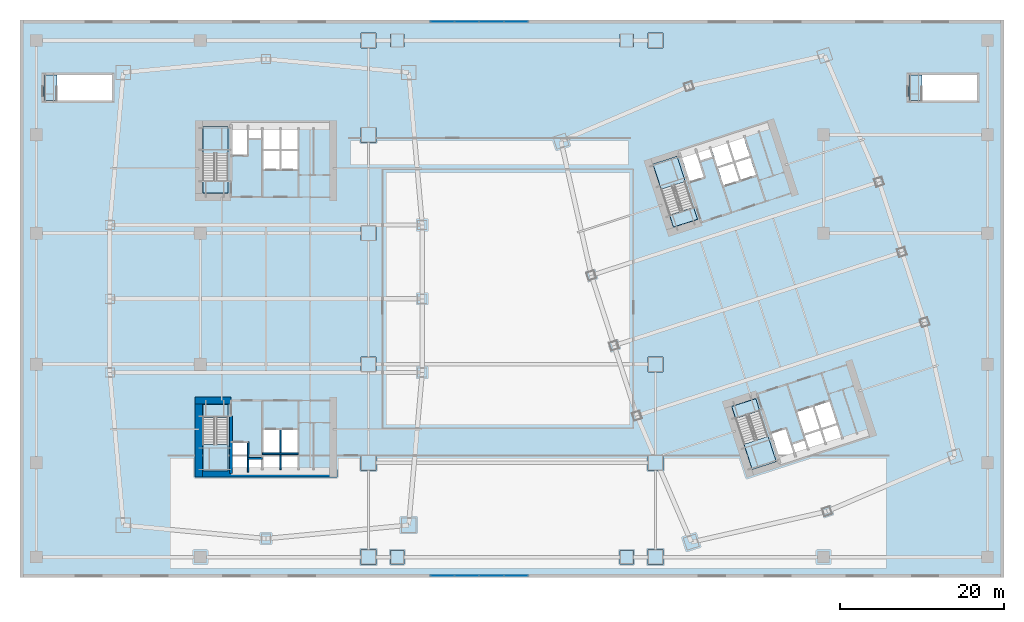
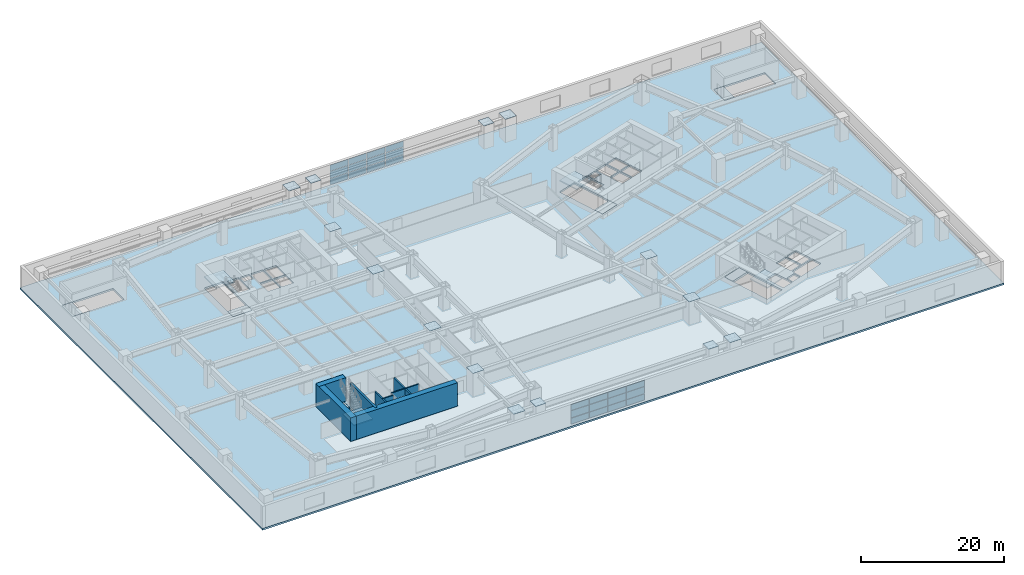
# One storey, part 12 of 25: 38 plates, 11 slabs, 8 walls, 6 elements without a shape of their own.
"""IFC4 building model written with IfcOpenShell, lengths in metres."""

from ifc_helpers import new_model, si_unit, direction, frame, frame_2d, origin, origin_2d, place, context, subcontext, project, spatial, polyline, rectangle, outline, extrude, material, layer, layer_set, type_object, element, aggregate, save


model = new_model("IFC4")

# Units and contexts
model_context = context("Model", 3, precision=1e-05, world=origin(), true_north=direction((0.0, 1.0)))
body_context = subcontext(model_context, "Body", "Model", "MODEL_VIEW")
ifc_project = project(units=[si_unit("LENGTHUNIT", "METRE"), si_unit("AREAUNIT", "SQUARE_METRE"), si_unit("VOLUMEUNIT", "CUBIC_METRE"), si_unit("PLANEANGLEUNIT", "RADIAN"), si_unit("MASSUNIT", "GRAM", prefix="KILO")], contexts=[model_context])

# Site, building, storey
site_placement = place(None, origin())
site = spatial("IfcSite", under=ifc_project, at=site_placement, CompositionType="ELEMENT")
building_placement = place(site_placement, origin())
building = spatial("IfcBuilding", under=site, at=building_placement, Name="Qiaolan Cultural Towers", CompositionType="ELEMENT")
storey_placement = place(building_placement, frame((0.0, 0.0, 22.0)))
storey = spatial("IfcBuildingStorey", under=building, at=storey_placement, Name="L04", CompositionType="ELEMENT", Elevation=22.0)

# Curtain wall, plates
ifc_material_1 = material(Name="Unitized Anodized Aluminium Curtain Wall System", Category="aluminium")
ifc_layer_1 = layer(ifc_material_1, 0.199951171875)
ifc_layer_set_1 = layer_set([ifc_layer_1], Name="Unitized Anodized Aluminium Curtain Wall System")
curtain_wall_type = type_object("IfcCurtainWallType", Name="CWS-01", PredefinedType="NOTDEFINED", material=ifc_layer_set_1)
curtain_wall_1_placement = place(storey_placement, origin())
curtain_wall_1 = element("IfcCurtainWall", 1, at=curtain_wall_1_placement, inside=storey, type_object=curtain_wall_type, Name="L04 South Atrium Curtain Wall", PredefinedType="NOTDEFINED")
ifc_material_2 = material(Name="Laminated Low-E Insulating Glass Unit", Category="glass")
ifc_layer_2 = layer(ifc_material_2, 0.035888671875)
ifc_layer_set_2 = layer_set([ifc_layer_2], Name="Laminated Low-E Insulating Glass Unit")
plate_type_1 = type_object("IfcPlateType", Name="CWS-01-PNL", PredefinedType="CURTAIN_PANEL", material=ifc_layer_set_2)
plate_1_placement = place(storey_placement, frame((51.518798828125, 0.219970703125, 0.21484375), z_axis=(0.0, 0.0, 1.0), x_axis=(1.0, 0.0, 0.0)))
plate_1 = element("IfcPlate", 2, at=plate_1_placement, type_object=plate_type_1, Name="CW-1 panel 1.1", PredefinedType="CURTAIN_PANEL", context=body_context, shape_type="SweptSolid", body=[
    extrude(rectangle(XDim=2.887451171875, YDim=0.035888671875, at=origin_2d()), origin(), (0.0, 0.0, 1.0), 1.012451171875),
])
plate_2_placement = place(storey_placement, frame((51.518798828125, 0.219970703125, 1.29248046875), z_axis=(0.0, 0.0, 1.0), x_axis=(1.0, 0.0, 0.0)))
plate_2 = element("IfcPlate", 3, at=plate_2_placement, type_object=plate_type_1, Name="CW-1 panel 1.2", PredefinedType="CURTAIN_PANEL", context=body_context, shape_type="SweptSolid", body=[
    extrude(rectangle(XDim=2.887451171875, YDim=0.035888671875, at=origin_2d()), origin(), (0.0, 0.0, 1.0), 1.195068359375),
])
plate_3_placement = place(storey_placement, frame((51.518798828125, 0.219970703125, 2.552734375), z_axis=(0.0, 0.0, 1.0), x_axis=(1.0, 0.0, 0.0)))
plate_3 = element("IfcPlate", 4, at=plate_3_placement, type_object=plate_type_1, Name="CW-1 panel 1.3", PredefinedType="CURTAIN_PANEL", context=body_context, shape_type="SweptSolid", body=[
    extrude(rectangle(XDim=2.887451171875, YDim=0.035888671875, at=origin_2d()), origin(), (0.0, 0.0, 1.0), 1.012451171875),
])
plate_4_placement = place(storey_placement, frame((54.5, 0.219970703125, 0.21484375), z_axis=(0.0, 0.0, 1.0), x_axis=(1.0, 0.0, 0.0)))
plate_4 = element("IfcPlate", 5, at=plate_4_placement, type_object=plate_type_1, Name="CW-1 panel 2.1", PredefinedType="CURTAIN_PANEL", context=body_context, shape_type="SweptSolid", body=[
    extrude(rectangle(XDim=2.925048828125, YDim=0.035888671875, at=origin_2d()), origin(), (0.0, 0.0, 1.0), 1.012451171875),
])
plate_5_placement = place(storey_placement, frame((54.5, 0.219970703125, 1.29248046875), z_axis=(0.0, 0.0, 1.0), x_axis=(1.0, 0.0, 0.0)))
plate_5 = element("IfcPlate", 6, at=plate_5_placement, type_object=plate_type_1, Name="CW-1 panel 2.2", PredefinedType="CURTAIN_PANEL", context=body_context, shape_type="SweptSolid", body=[
    extrude(rectangle(XDim=2.925048828125, YDim=0.035888671875, at=origin_2d()), origin(), (0.0, 0.0, 1.0), 1.195068359375),
])
plate_6_placement = place(storey_placement, frame((54.5, 0.219970703125, 2.552734375), z_axis=(0.0, 0.0, 1.0), x_axis=(1.0, 0.0, 0.0)))
plate_6 = element("IfcPlate", 7, at=plate_6_placement, type_object=plate_type_1, Name="CW-1 panel 2.3", PredefinedType="CURTAIN_PANEL", context=body_context, shape_type="SweptSolid", body=[
    extrude(rectangle(XDim=2.925048828125, YDim=0.035888671875, at=origin_2d()), origin(), (0.0, 0.0, 1.0), 1.012451171875),
])
plate_7_placement = place(storey_placement, frame((57.5, 0.219970703125, 0.21484375), z_axis=(0.0, 0.0, 1.0), x_axis=(1.0, 0.0, 0.0)))
plate_7 = element("IfcPlate", 8, at=plate_7_placement, type_object=plate_type_1, Name="CW-1 panel 3.1", PredefinedType="CURTAIN_PANEL", context=body_context, shape_type="SweptSolid", body=[
    extrude(rectangle(XDim=2.925048828125, YDim=0.035888671875, at=origin_2d()), origin(), (0.0, 0.0, 1.0), 1.012451171875),
])
plate_8_placement = place(storey_placement, frame((57.5, 0.219970703125, 1.29248046875), z_axis=(0.0, 0.0, 1.0), x_axis=(1.0, 0.0, 0.0)))
plate_8 = element("IfcPlate", 9, at=plate_8_placement, type_object=plate_type_1, Name="CW-1 panel 3.2", PredefinedType="CURTAIN_PANEL", context=body_context, shape_type="SweptSolid", body=[
    extrude(rectangle(XDim=2.925048828125, YDim=0.035888671875, at=origin_2d()), origin(), (0.0, 0.0, 1.0), 1.195068359375),
])
plate_9_placement = place(storey_placement, frame((57.5, 0.219970703125, 2.552734375), z_axis=(0.0, 0.0, 1.0), x_axis=(1.0, 0.0, 0.0)))
plate_9 = element("IfcPlate", 10, at=plate_9_placement, type_object=plate_type_1, Name="CW-1 panel 3.3", PredefinedType="CURTAIN_PANEL", context=body_context, shape_type="SweptSolid", body=[
    extrude(rectangle(XDim=2.925048828125, YDim=0.035888671875, at=origin_2d()), origin(), (0.0, 0.0, 1.0), 1.012451171875),
])
plate_10_placement = place(storey_placement, frame((60.481201171875, 0.219970703125, 0.21484375), z_axis=(0.0, 0.0, 1.0), x_axis=(1.0, 0.0, 0.0)))
plate_10 = element("IfcPlate", 11, at=plate_10_placement, type_object=plate_type_1, Name="CW-1 panel 4.1", PredefinedType="CURTAIN_PANEL", context=body_context, shape_type="SweptSolid", body=[
    extrude(rectangle(XDim=2.887451171875, YDim=0.035888671875, at=origin_2d()), origin(), (0.0, 0.0, 1.0), 1.012451171875),
])
plate_11_placement = place(storey_placement, frame((60.481201171875, 0.219970703125, 1.29248046875), z_axis=(0.0, 0.0, 1.0), x_axis=(1.0, 0.0, 0.0)))
plate_11 = element("IfcPlate", 12, at=plate_11_placement, type_object=plate_type_1, Name="CW-1 panel 4.2", PredefinedType="CURTAIN_PANEL", context=body_context, shape_type="SweptSolid", body=[
    extrude(rectangle(XDim=2.887451171875, YDim=0.035888671875, at=origin_2d()), origin(), (0.0, 0.0, 1.0), 1.195068359375),
])
plate_12_placement = place(storey_placement, frame((60.481201171875, 0.219970703125, 2.552734375), z_axis=(0.0, 0.0, 1.0), x_axis=(1.0, 0.0, 0.0)))
plate_12 = element("IfcPlate", 13, at=plate_12_placement, type_object=plate_type_1, Name="CW-1 panel 4.3", PredefinedType="CURTAIN_PANEL", context=body_context, shape_type="SweptSolid", body=[
    extrude(rectangle(XDim=2.887451171875, YDim=0.035888671875, at=origin_2d()), origin(), (0.0, 0.0, 1.0), 1.012451171875),
])
aggregate(curtain_wall_1, [plate_1, plate_2, plate_3, plate_4, plate_5, plate_6, plate_7, plate_8, plate_9, plate_10, plate_11, plate_12])

curtain_wall_2_placement = place(storey_placement, origin())
curtain_wall_2 = element("IfcCurtainWall", 14, at=curtain_wall_2_placement, inside=storey, type_object=curtain_wall_type, Name="L04 North Atrium Curtain Wall", PredefinedType="NOTDEFINED")
plate_13_placement = place(storey_placement, frame((51.518798828125, 67.780029296875, 0.21484375), z_axis=(0.0, 0.0, 1.0), x_axis=(1.0, 0.0, 0.0)))
plate_13 = element("IfcPlate", 15, at=plate_13_placement, type_object=plate_type_1, Name="CW-1 panel 1.1", PredefinedType="CURTAIN_PANEL", context=body_context, shape_type="SweptSolid", body=[
    extrude(rectangle(XDim=2.887451171875, YDim=0.035888671875, at=origin_2d()), origin(), (0.0, 0.0, 1.0), 1.012451171875),
])
plate_14_placement = place(storey_placement, frame((51.518798828125, 67.780029296875, 1.29248046875), z_axis=(0.0, 0.0, 1.0), x_axis=(1.0, 0.0, 0.0)))
plate_14 = element("IfcPlate", 16, at=plate_14_placement, type_object=plate_type_1, Name="CW-1 panel 1.2", PredefinedType="CURTAIN_PANEL", context=body_context, shape_type="SweptSolid", body=[
    extrude(rectangle(XDim=2.887451171875, YDim=0.035888671875, at=origin_2d()), origin(), (0.0, 0.0, 1.0), 1.195068359375),
])
plate_15_placement = place(storey_placement, frame((51.518798828125, 67.780029296875, 2.552734375), z_axis=(0.0, 0.0, 1.0), x_axis=(1.0, 0.0, 0.0)))
plate_15 = element("IfcPlate", 17, at=plate_15_placement, type_object=plate_type_1, Name="CW-1 panel 1.3", PredefinedType="CURTAIN_PANEL", context=body_context, shape_type="SweptSolid", body=[
    extrude(rectangle(XDim=2.887451171875, YDim=0.035888671875, at=origin_2d()), origin(), (0.0, 0.0, 1.0), 1.012451171875),
])
plate_16_placement = place(storey_placement, frame((54.5, 67.780029296875, 0.21484375), z_axis=(0.0, 0.0, 1.0), x_axis=(1.0, 0.0, 0.0)))
plate_16 = element("IfcPlate", 18, at=plate_16_placement, type_object=plate_type_1, Name="CW-1 panel 2.1", PredefinedType="CURTAIN_PANEL", context=body_context, shape_type="SweptSolid", body=[
    extrude(rectangle(XDim=2.925048828125, YDim=0.035888671875, at=origin_2d()), origin(), (0.0, 0.0, 1.0), 1.012451171875),
])
plate_17_placement = place(storey_placement, frame((54.5, 67.780029296875, 1.29248046875), z_axis=(0.0, 0.0, 1.0), x_axis=(1.0, 0.0, 0.0)))
plate_17 = element("IfcPlate", 19, at=plate_17_placement, type_object=plate_type_1, Name="CW-1 panel 2.2", PredefinedType="CURTAIN_PANEL", context=body_context, shape_type="SweptSolid", body=[
    extrude(rectangle(XDim=2.925048828125, YDim=0.035888671875, at=origin_2d()), origin(), (0.0, 0.0, 1.0), 1.195068359375),
])
plate_18_placement = place(storey_placement, frame((54.5, 67.780029296875, 2.552734375), z_axis=(0.0, 0.0, 1.0), x_axis=(1.0, 0.0, 0.0)))
plate_18 = element("IfcPlate", 20, at=plate_18_placement, type_object=plate_type_1, Name="CW-1 panel 2.3", PredefinedType="CURTAIN_PANEL", context=body_context, shape_type="SweptSolid", body=[
    extrude(rectangle(XDim=2.925048828125, YDim=0.035888671875, at=origin_2d()), origin(), (0.0, 0.0, 1.0), 1.012451171875),
])
plate_19_placement = place(storey_placement, frame((57.5, 67.780029296875, 0.21484375), z_axis=(0.0, 0.0, 1.0), x_axis=(1.0, 0.0, 0.0)))
plate_19 = element("IfcPlate", 21, at=plate_19_placement, type_object=plate_type_1, Name="CW-1 panel 3.1", PredefinedType="CURTAIN_PANEL", context=body_context, shape_type="SweptSolid", body=[
    extrude(rectangle(XDim=2.925048828125, YDim=0.035888671875, at=origin_2d()), origin(), (0.0, 0.0, 1.0), 1.012451171875),
])
plate_20_placement = place(storey_placement, frame((57.5, 67.780029296875, 1.29248046875), z_axis=(0.0, 0.0, 1.0), x_axis=(1.0, 0.0, 0.0)))
plate_20 = element("IfcPlate", 22, at=plate_20_placement, type_object=plate_type_1, Name="CW-1 panel 3.2", PredefinedType="CURTAIN_PANEL", context=body_context, shape_type="SweptSolid", body=[
    extrude(rectangle(XDim=2.925048828125, YDim=0.035888671875, at=origin_2d()), origin(), (0.0, 0.0, 1.0), 1.195068359375),
])
plate_21_placement = place(storey_placement, frame((57.5, 67.780029296875, 2.552734375), z_axis=(0.0, 0.0, 1.0), x_axis=(1.0, 0.0, 0.0)))
plate_21 = element("IfcPlate", 23, at=plate_21_placement, type_object=plate_type_1, Name="CW-1 panel 3.3", PredefinedType="CURTAIN_PANEL", context=body_context, shape_type="SweptSolid", body=[
    extrude(rectangle(XDim=2.925048828125, YDim=0.035888671875, at=origin_2d()), origin(), (0.0, 0.0, 1.0), 1.012451171875),
])
plate_22_placement = place(storey_placement, frame((60.481201171875, 67.780029296875, 0.21484375), z_axis=(0.0, 0.0, 1.0), x_axis=(1.0, 0.0, 0.0)))
plate_22 = element("IfcPlate", 24, at=plate_22_placement, type_object=plate_type_1, Name="CW-1 panel 4.1", PredefinedType="CURTAIN_PANEL", context=body_context, shape_type="SweptSolid", body=[
    extrude(rectangle(XDim=2.887451171875, YDim=0.035888671875, at=origin_2d()), origin(), (0.0, 0.0, 1.0), 1.012451171875),
])
plate_23_placement = place(storey_placement, frame((60.481201171875, 67.780029296875, 1.29248046875), z_axis=(0.0, 0.0, 1.0), x_axis=(1.0, 0.0, 0.0)))
plate_23 = element("IfcPlate", 25, at=plate_23_placement, type_object=plate_type_1, Name="CW-1 panel 4.2", PredefinedType="CURTAIN_PANEL", context=body_context, shape_type="SweptSolid", body=[
    extrude(rectangle(XDim=2.887451171875, YDim=0.035888671875, at=origin_2d()), origin(), (0.0, 0.0, 1.0), 1.195068359375),
])
plate_24_placement = place(storey_placement, frame((60.481201171875, 67.780029296875, 2.552734375), z_axis=(0.0, 0.0, 1.0), x_axis=(1.0, 0.0, 0.0)))
plate_24 = element("IfcPlate", 26, at=plate_24_placement, type_object=plate_type_1, Name="CW-1 panel 4.3", PredefinedType="CURTAIN_PANEL", context=body_context, shape_type="SweptSolid", body=[
    extrude(rectangle(XDim=2.887451171875, YDim=0.035888671875, at=origin_2d()), origin(), (0.0, 0.0, 1.0), 1.012451171875),
])
aggregate(curtain_wall_2, [plate_13, plate_14, plate_15, plate_16, plate_17, plate_18, plate_19, plate_20, plate_21, plate_22, plate_23, plate_24])

# Plates
ifc_material_3 = material(Name="Steel Q355B", Category="steel")
ifc_layer_3 = layer(ifc_material_3, 0.030029296875)
ifc_layer_set_3 = layer_set([ifc_layer_3], Name="Steel Q355B")
plate_type_2 = type_object("IfcPlateType", Name="PL-ENDCAP-30", PredefinedType="USERDEFINED", material=ifc_layer_set_3)
for number, where, z_axis, x_axis, name in (
    (27, (42.5, 2.5, 4.0009765625), (0.0, 0.0, 1.0), (1.0, 0.0, 0.0), "Podium Box Column Top Seal Cap Plate CP-01"),
    (28, (42.5, 14.0, 4.0009765625), (0.0, 0.0, 1.0), (1.0, 0.0, 0.0), "Podium Box Column Top Seal Cap Plate CP-01"),
    (29, (42.5, 26.0, 4.0009765625), (0.0, 0.0, 1.0), (1.0, 0.0, 0.0), "Podium Box Column Top Seal Cap Plate CP-01"),
    (30, (42.5, 42.0, 4.0009765625), (0.0, 0.0, 1.0), (1.0, 0.0, 0.0), "Podium Box Column Top Seal Cap Plate CP-01"),
    (31, (42.5, 54.0, 4.0009765625), (0.0, 0.0, 1.0), (1.0, 0.0, 0.0), "Podium Box Column Top Seal Cap Plate CP-01"),
    (32, (42.5, 65.5, 4.0009765625), (0.0, 0.0, 1.0), (1.0, 0.0, 0.0), "Podium Box Column Top Seal Cap Plate CP-01"),
    (33, (77.5, 2.5, 4.0009765625), (0.0, 0.0, 1.0), (1.0, 0.0, 0.0), "Podium Box Column Top Seal Cap Plate CP-01"),
    (34, (77.5, 14.0, 4.0009765625), (0.0, 0.0, 1.0), (1.0, 0.0, 0.0), "Podium Box Column Top Seal Cap Plate CP-01"),
    (35, (77.5, 26.0, 4.0009765625), (0.0, 0.0, 1.0), (1.0, 0.0, 0.0), "Podium Box Column Top Seal Cap Plate CP-01"),
    (36, (77.5, 65.5, 4.0009765625), (0.0, 0.0, 1.0), (1.0, 0.0, 0.0), "Podium Box Column Top Seal Cap Plate CP-01"),
):
    element("IfcPlate", number, at=place(storey_placement, frame(where, z_axis=z_axis, x_axis=x_axis)), inside=storey, type_object=plate_type_2, Name=name, ObjectType="BASE_PLATE", PredefinedType="USERDEFINED", context=body_context, shape_type="SweptSolid", body=[
        extrude(rectangle(XDim=1.840087890625, YDim=1.840087890625, at=origin_2d()), origin(), (0.0, 0.0, 1.0), 0.030029296875),
    ])
for number, where, z_axis, x_axis, name in (
    (37, (46.0, 2.5, 4.0009765625), (0.0, 0.0, 1.0), (1.0, 0.0, 0.0), "Podium Box Column Top Seal Cap Plate CP-01"),
    (38, (46.0, 65.5, 4.0009765625), (0.0, 0.0, 1.0), (1.0, 0.0, 0.0), "Podium Box Column Top Seal Cap Plate CP-01"),
    (39, (74.0, 2.5, 4.0009765625), (0.0, 0.0, 1.0), (1.0, 0.0, 0.0), "Podium Box Column Top Seal Cap Plate CP-01"),
    (40, (74.0, 65.5, 4.0009765625), (0.0, 0.0, 1.0), (1.0, 0.0, 0.0), "Podium Box Column Top Seal Cap Plate CP-01"),
):
    element("IfcPlate", number, at=place(storey_placement, frame(where, z_axis=z_axis, x_axis=x_axis)), inside=storey, type_object=plate_type_2, Name=name, ObjectType="BASE_PLATE", PredefinedType="USERDEFINED", context=body_context, shape_type="SweptSolid", body=[
        extrude(rectangle(XDim=1.639892578125, YDim=1.639892578125, at=origin_2d()), origin(), (0.0, 0.0, 1.0), 0.030029296875),
    ])

# Slab
ifc_material_4 = material(Name="Concrete C50", Category="concrete")
ifc_layer_4 = layer(ifc_material_4, 0.300048828125)
ifc_layer_set_4 = layer_set([ifc_layer_4], Name="Concrete C50")
slab_type_1 = type_object("IfcSlabType", Name="SL-POD-300", PredefinedType="FLOOR", material=ifc_layer_set_4)
slab_1_placement = place(storey_placement, frame((0.0, 0.0, -0.300048828125)))
element("IfcSlab", 41, at=slab_1_placement, inside=storey, type_object=slab_type_1, Name="L04 Structural Floor Slab", PredefinedType="FLOOR", context=body_context, shape_type="SweptSolid", body=[
    extrude(outline(polyline([(0.0, 0.0), (120.0, 0.0), (120.0, 68.0), (0.0, 68.0), (0.0, 0.0)]), holes=[polyline([(22.300048828125, 21.10009765625), (22.300048828125, 13.0), (25.3798828125, 13.0), (25.3798828125, 21.10009765625), (22.300048828125, 21.10009765625)]), polyline([(25.3798828125, 46.89990234375), (25.3798828125, 55.0), (22.300048828125, 55.0), (22.300048828125, 46.89990234375), (25.3798828125, 46.89990234375)]), polyline([(86.80126953125, 20.868896484375), (89.30419921875, 13.165283203125), (92.2333984375, 14.116943359375), (89.73046875, 21.820556640625), (86.80126953125, 20.868896484375)]), polyline([(82.623046875, 43.69482421875), (80.1201171875, 51.3984375), (77.190673828125, 50.44677734375), (79.69384765625, 42.7431640625), (82.623046875, 43.69482421875)]), polyline([(2.89990234375, 58.199951171875), (11.199951171875, 58.199951171875), (11.199951171875, 61.300048828125), (2.89990234375, 61.300048828125), (2.89990234375, 58.199951171875)]), polyline([(108.39990234375, 58.199951171875), (116.699951171875, 58.199951171875), (116.699951171875, 61.300048828125), (108.39990234375, 61.300048828125), (108.39990234375, 58.199951171875)]), polyline([(25.89990234375, 13.199951171875), (27.75, 13.199951171875), (27.75, 16.449951171875), (25.89990234375, 16.449951171875), (25.89990234375, 13.199951171875)]), polyline([(27.93994140625, 13.25), (29.449951171875, 13.25), (29.449951171875, 14.419921875), (27.93994140625, 14.419921875), (27.93994140625, 13.25)]), polyline([(29.679931640625, 15.199951171875), (31.679931640625, 15.199951171875), (31.679931640625, 18.0), (29.679931640625, 18.0), (29.679931640625, 15.199951171875)]), polyline([(31.8798828125, 15.199951171875), (33.820068359375, 15.199951171875), (33.820068359375, 18.0), (31.8798828125, 18.0), (31.8798828125, 15.199951171875)]), polyline([(29.679931640625, 13.25), (33.820068359375, 13.25), (33.820068359375, 14.97998046875), (29.679931640625, 14.97998046875), (29.679931640625, 13.25)]), polyline([(25.89990234375, 51.550048828125), (27.75, 51.550048828125), (27.75, 54.800048828125), (25.89990234375, 54.800048828125), (25.89990234375, 51.550048828125)]), polyline([(27.93994140625, 53.580078125), (29.449951171875, 53.580078125), (29.449951171875, 54.75), (27.93994140625, 54.75), (27.93994140625, 53.580078125)]), polyline([(29.679931640625, 49.820068359375), (31.679931640625, 49.820068359375), (31.679931640625, 52.080078125), (29.679931640625, 52.080078125), (29.679931640625, 49.820068359375)]), polyline([(31.8798828125, 49.820068359375), (33.820068359375, 49.820068359375), (33.820068359375, 52.080078125), (31.8798828125, 52.080078125), (31.8798828125, 49.820068359375)]), polyline([(29.679931640625, 52.27001953125), (31.659912109375, 52.27001953125), (31.659912109375, 54.75), (29.679931640625, 54.75), (29.679931640625, 52.27001953125)]), polyline([(31.8798828125, 52.27001953125), (33.820068359375, 52.27001953125), (33.820068359375, 54.75), (31.8798828125, 54.75), (31.8798828125, 52.27001953125)]), polyline([(92.666259765625, 14.468017578125), (94.42578125, 15.03955078125), (93.42138671875, 18.130615234375), (91.661865234375, 17.558837890625), (92.666259765625, 14.468017578125)]), polyline([(94.5908203125, 15.14599609375), (96.027099609375, 15.612548828125), (95.66552734375, 16.725341796875), (94.2294921875, 16.258544921875), (94.5908203125, 15.14599609375)]), polyline([(95.643310546875, 17.5380859375), (97.54541015625, 18.15625), (96.68017578125, 20.819091796875), (94.77783203125, 20.201171875), (95.643310546875, 17.5380859375)]), polyline([(97.735595703125, 18.218017578125), (99.58056640625, 18.8173828125), (98.71533203125, 21.48046875), (96.870361328125, 20.880859375), (97.735595703125, 18.218017578125)]), polyline([(96.245849609375, 15.68359375), (100.18310546875, 16.962890625), (99.6484375, 18.608154296875), (95.711181640625, 17.328857421875), (96.245849609375, 15.68359375)]), polyline([(81.6806640625, 48.278076171875), (83.440185546875, 48.849609375), (82.435791015625, 51.940673828125), (80.67626953125, 51.368896484375), (81.6806640625, 48.278076171875)]), polyline([(82.993408203125, 50.839111328125), (84.4296875, 51.3056640625), (84.068115234375, 52.41845703125), (82.632080078125, 51.95166015625), (82.993408203125, 50.839111328125)]), polyline([(85.810302734375, 47.80078125), (87.71240234375, 48.418701171875), (87.013916015625, 50.568115234375), (85.11181640625, 49.9501953125), (85.810302734375, 47.80078125)]), polyline([(87.902587890625, 48.480712890625), (89.74755859375, 49.080078125), (89.04931640625, 51.2294921875), (87.2041015625, 50.6298828125), (87.902587890625, 48.480712890625)]), polyline([(85.05322265625, 50.130859375), (86.936279296875, 50.74267578125), (86.169921875, 53.101318359375), (84.286865234375, 52.489501953125), (85.05322265625, 50.130859375)]), polyline([(87.1455078125, 50.810791015625), (88.990478515625, 51.41015625), (88.22412109375, 53.768798828125), (86.379150390625, 53.169189453125), (87.1455078125, 50.810791015625)])]), origin(), (0.0, 0.0, 1.0), 0.300048828125),
])

# Stair, slab
ifc_material_5 = material(Name="Concrete C45", Category="concrete")
stair_type = type_object("IfcStairType", Name="STR-CORE-1500", PredefinedType="HALF_TURN_STAIR", material=ifc_material_5)
stair_1_placement = place(storey_placement, origin())
stair_1 = element("IfcStair", 42, at=stair_1_placement, inside=storey, type_object=stair_type, Name="L04 Smokeproof Exit Stair ST-W1", PredefinedType="HALF_TURN_STAIR")
ifc_material_6 = material(Name="Concrete C45", Category="concrete")
ifc_layer_5 = layer(ifc_material_6, 0.199951171875)
ifc_layer_set_5 = layer_set([ifc_layer_5], Name="Concrete C45")
slab_type_2 = type_object("IfcSlabType", Name="SL-STAIR-LAND", PredefinedType="LANDING", material=ifc_layer_set_5)
slab_2_placement = place(storey_placement, frame((0.0, 0.0, 1.800048828125)))
slab_2 = element("IfcSlab", 43, at=slab_2_placement, type_object=slab_type_2, Name="ST-W1 landing 1", PredefinedType="LANDING", context=body_context, shape_type="SweptSolid", body=[
    extrude(outline(polyline([(22.300048828125, 16.251220703125), (22.300048828125, 13.0), (25.3798828125, 13.0), (25.3798828125, 16.251220703125), (22.300048828125, 16.251220703125)])), origin(), (0.0, 0.0, 1.0), 0.199951171875),
])
aggregate(stair_1, [slab_2])

stair_2_placement = place(storey_placement, origin())
stair_2 = element("IfcStair", 44, at=stair_2_placement, inside=storey, type_object=stair_type, Name="L04 Smokeproof Exit Stair ST-W2", PredefinedType="HALF_TURN_STAIR")
slab_3_placement = place(storey_placement, frame((0.0, 0.0, 1.800048828125)))
slab_3 = element("IfcSlab", 45, at=slab_3_placement, type_object=slab_type_2, Name="ST-W2 landing 1", PredefinedType="LANDING", context=body_context, shape_type="SweptSolid", body=[
    extrude(outline(polyline([(25.3798828125, 51.748779296875), (25.3798828125, 55.0), (22.300048828125, 55.0), (22.300048828125, 51.748779296875), (25.3798828125, 51.748779296875)])), origin(), (0.0, 0.0, 1.0), 0.199951171875),
])
aggregate(stair_2, [slab_3])

stair_3_placement = place(storey_placement, origin())
stair_3 = element("IfcStair", 46, at=stair_3_placement, inside=storey, type_object=stair_type, Name="L04 Smokeproof Exit Stair ST-E1", PredefinedType="HALF_TURN_STAIR")
slab_4_placement = place(storey_placement, frame((0.0, 0.0, 1.800048828125)))
slab_4 = element("IfcSlab", 47, at=slab_4_placement, type_object=slab_type_2, Name="ST-E1 landing 1", PredefinedType="LANDING", context=body_context, shape_type="SweptSolid", body=[
    extrude(outline(polyline([(88.299560546875, 16.25732421875), (89.30419921875, 13.165283203125), (92.2333984375, 14.116943359375), (91.228759765625, 17.209228515625), (88.299560546875, 16.25732421875)])), origin(), (0.0, 0.0, 1.0), 0.199951171875),
])
aggregate(stair_3, [slab_4])

stair_4_placement = place(storey_placement, origin())
stair_4 = element("IfcStair", 48, at=stair_4_placement, inside=storey, type_object=stair_type, Name="L04 Smokeproof Exit Stair ST-E2", PredefinedType="HALF_TURN_STAIR")
slab_5_placement = place(storey_placement, frame((0.0, 0.0, 1.800048828125)))
slab_5 = element("IfcSlab", 49, at=slab_5_placement, type_object=slab_type_2, Name="ST-E2 landing 1", PredefinedType="LANDING", context=body_context, shape_type="SweptSolid", body=[
    extrude(outline(polyline([(81.124755859375, 48.306396484375), (80.1201171875, 51.3984375), (77.190673828125, 50.44677734375), (78.195556640625, 47.3544921875), (81.124755859375, 48.306396484375)])), origin(), (0.0, 0.0, 1.0), 0.199951171875),
])
aggregate(stair_4, [slab_5])

# Slabs
ifc_material_7 = material(Name="Concrete C40", Category="concrete")
ifc_layer_6 = layer(ifc_material_7, 0.360107421875)
ifc_layer_set_6 = layer_set([ifc_layer_6], Name="Concrete C40")
slab_type_3 = type_object("IfcSlabType", Name="SL-STFLR-360", PredefinedType="LANDING", material=ifc_layer_set_6)
slab_6_placement = place(storey_placement, frame((0.0, 0.0, -0.360107421875)))
element("IfcSlab", 50, at=slab_6_placement, inside=storey, type_object=slab_type_3, Name="L04 ST-W1 Stair Floor Landing Slab", PredefinedType="LANDING", context=body_context, shape_type="SweptSolid", body=[
    extrude(outline(polyline([(22.302001953125, 21.097900390625), (22.302001953125, 19.548583984375), (25.3779296875, 19.548583984375), (25.3779296875, 21.097900390625), (22.302001953125, 21.097900390625)])), origin(), (0.0, 0.0, 1.0), 0.360107421875),
])
slab_7_placement = place(storey_placement, frame((0.0, 0.0, -0.360107421875)))
element("IfcSlab", 51, at=slab_7_placement, inside=storey, type_object=slab_type_3, Name="L04 ST-W2 Stair Floor Landing Slab", PredefinedType="LANDING", context=body_context, shape_type="SweptSolid", body=[
    extrude(outline(polyline([(25.3779296875, 46.902099609375), (25.3779296875, 48.451416015625), (22.302001953125, 48.451416015625), (22.302001953125, 46.902099609375), (25.3779296875, 46.902099609375)])), origin(), (0.0, 0.0, 1.0), 0.360107421875),
])
slab_8_placement = place(storey_placement, frame((0.0, 0.0, -0.360107421875)))
element("IfcSlab", 52, at=slab_8_placement, inside=storey, type_object=slab_type_3, Name="L04 ST-E1 Stair Floor Landing Slab", PredefinedType="LANDING", context=body_context, shape_type="SweptSolid", body=[
    extrude(outline(polyline([(86.8037109375, 20.867431640625), (87.282470703125, 19.39404296875), (90.2080078125, 20.3447265625), (89.729248046875, 21.818115234375), (86.8037109375, 20.867431640625)])), origin(), (0.0, 0.0, 1.0), 0.360107421875),
])
slab_9_placement = place(storey_placement, frame((0.0, 0.0, -0.360107421875)))
element("IfcSlab", 53, at=slab_9_placement, inside=storey, type_object=slab_type_3, Name="L04 ST-E2 Stair Floor Landing Slab", PredefinedType="LANDING", context=body_context, shape_type="SweptSolid", body=[
    extrude(outline(polyline([(82.62060546875, 43.6962890625), (82.141845703125, 45.169677734375), (79.21630859375, 44.21923828125), (79.695068359375, 42.74560546875), (82.62060546875, 43.6962890625)])), origin(), (0.0, 0.0, 1.0), 0.360107421875),
])
slab_10_placement = place(storey_placement, frame((0.0, 0.0, -0.360107421875)))
element("IfcSlab", 54, at=slab_10_placement, inside=storey, type_object=slab_type_3, Name="L04 ST-P1 Stair Floor Landing Slab", PredefinedType="LANDING", context=body_context, shape_type="SweptSolid", body=[
    extrude(outline(polyline([(2.902099609375, 58.201904296875), (4.501220703125, 58.201904296875), (4.501220703125, 61.298095703125), (2.902099609375, 61.298095703125), (2.902099609375, 58.201904296875)])), origin(), (0.0, 0.0, 1.0), 0.360107421875),
])
slab_11_placement = place(storey_placement, frame((0.0, 0.0, -0.360107421875)))
element("IfcSlab", 55, at=slab_11_placement, inside=storey, type_object=slab_type_3, Name="L04 ST-P2 Stair Floor Landing Slab", PredefinedType="LANDING", context=body_context, shape_type="SweptSolid", body=[
    extrude(outline(polyline([(108.402099609375, 58.201904296875), (110.001220703125, 58.201904296875), (110.001220703125, 61.298095703125), (108.402099609375, 61.298095703125), (108.402099609375, 58.201904296875)])), origin(), (0.0, 0.0, 1.0), 0.360107421875),
])

# Walls
ifc_material_8 = material(Name="Concrete C50", Category="concrete")
ifc_layer_7 = layer(ifc_material_8, 0.35009765625)
ifc_layer_set_7 = layer_set([ifc_layer_7], Name="Concrete C50")
wall_type_1 = type_object("IfcWallType", Name="WL-CORE-350", PredefinedType="SHEAR", material=ifc_layer_set_7)
wall_1_placement = place(storey_placement, frame((25.719970703125, 19.699951171875, 0.0), z_axis=(0.0, 0.0, 1.0), x_axis=(0.0, -1.0, 0.0)))
element("IfcWall", 56, at=wall_1_placement, inside=storey, type_object=wall_type_1, Name="L04 T1-CS Stair Core Dividing Web", PredefinedType="SHEAR", context=body_context, shape_type="SweptSolid", body=[
    extrude(rectangle(XDim=6.97998046875, YDim=0.35009765625, at=frame_2d((3.489990234375, 0.0))), origin(), (0.0, 0.0, 1.0), 4.0),
])
ifc_material_9 = material(Name="Concrete C60", Category="concrete")
ifc_layer_8 = layer(ifc_material_9, 0.89990234375)
ifc_layer_set_8 = layer_set([ifc_layer_8], Name="Concrete C60")
wall_type_2 = type_object("IfcWallType", Name="WL-CORE-900", PredefinedType="SHEAR", material=ifc_layer_set_8)
wall_2_placement = place(storey_placement, frame((21.35009765625, 12.719970703125, 0.0), z_axis=(0.0, 0.0, 1.0), x_axis=(1.0, 0.0, 0.0)))
element("IfcWall", 57, at=wall_2_placement, inside=storey, type_object=wall_type_2, Name="L04 T1-CS Outer Core Shear Wall", PredefinedType="SHEAR", context=body_context, shape_type="SweptSolid", body=[
    extrude(rectangle(XDim=17.2998046875, YDim=0.89990234375, at=frame_2d((8.64990234375, 0.0))), origin(), (0.0, 0.0, 1.0), 4.0),
])
wall_3_placement = place(storey_placement, frame((21.800048828125, 22.050048828125, 0.0), z_axis=(0.0, 0.0, 1.0), x_axis=(0.0, -1.0, 0.0)))
element("IfcWall", 58, at=wall_3_placement, inside=storey, type_object=wall_type_2, Name="L04 T1-CS West Core Shear Wall", PredefinedType="SHEAR", context=body_context, shape_type="SweptSolid", body=[
    extrude(rectangle(XDim=9.780029296875, YDim=0.89990234375, at=frame_2d((4.89013671875, 0.0))), origin(), (0.0, 0.0, 1.0), 4.0),
])
wall_4_placement = place(storey_placement, frame((21.35009765625, 21.60009765625, 0.0), z_axis=(0.0, 0.0, 1.0), x_axis=(1.0, 0.0, 0.0)))
element("IfcWall", 59, at=wall_4_placement, inside=storey, type_object=wall_type_2, Name="L04 T1-CS Stair Front Shear Wall", PredefinedType="SHEAR", context=body_context, shape_type="SweptSolid", body=[
    extrude(rectangle(XDim=4.369873046875, YDim=0.89990234375, at=frame_2d((2.18505859375, 0.0))), origin(), (0.0, 0.0, 1.0), 4.0),
])
ifc_material_10 = material(Name="Concrete C35 Fire Wall", Category="concrete")
ifc_layer_9 = layer(ifc_material_10, 0.199951171875)
ifc_layer_set_9 = layer_set([ifc_layer_9], Name="Concrete C35 Fire Wall")
wall_type_3 = type_object("IfcWallType", Name="WL-FIRE-200", PredefinedType="PARTITIONING", material=ifc_layer_set_9)
wall_5_placement = place(storey_placement, frame((27.820068359375, 16.550048828125, 0.0), z_axis=(0.0, 0.0, 1.0), x_axis=(0.0, -1.0, 0.0)))
element("IfcWall", 60, at=wall_5_placement, inside=storey, type_object=wall_type_3, Name="L04 T1-CS Firefighting Hoistway East Wall", PredefinedType="PARTITIONING", context=body_context, shape_type="SweptSolid", body=[
    extrude(rectangle(XDim=3.699951171875, YDim=0.199951171875, at=frame_2d((1.85009765625, 0.0))), origin(), (0.0, 0.0, 1.0), 3.72509765625),
])
wall_6_placement = place(storey_placement, frame((27.820068359375, 14.52001953125, 0.0), z_axis=(0.0, 0.0, 1.0), x_axis=(1.0, 0.0, 0.0)))
element("IfcWall", 61, at=wall_6_placement, inside=storey, type_object=wall_type_3, Name="L04 T1-CS Pressurization Shaft Front Wall", PredefinedType="PARTITIONING", context=body_context, shape_type="SweptSolid", body=[
    extrude(rectangle(XDim=1.72998046875, YDim=0.199951171875, at=frame_2d((0.864990234375, 0.0))), origin(), (0.0, 0.0, 1.0), 3.72509765625),
])
wall_7_placement = place(storey_placement, frame((31.780029296875, 18.1201171875, 0.0), z_axis=(0.0, 0.0, 1.0), x_axis=(0.0, -1.0, 0.0)))
element("IfcWall", 62, at=wall_7_placement, inside=storey, type_object=wall_type_3, Name="L04 T1-CS Lift Shaft Divider Wall", PredefinedType="PARTITIONING", context=body_context, shape_type="SweptSolid", body=[
    extrude(rectangle(XDim=4.9501953125, YDim=0.199951171875, at=frame_2d((2.47509765625, 0.0))), origin(), (0.0, 0.0, 1.0), 3.72509765625),
])
wall_8_placement = place(storey_placement, frame((29.550048828125, 15.10009765625, 0.0), z_axis=(0.0, 0.0, 1.0), x_axis=(1.0, 0.0, 0.0)))
element("IfcWall", 63, at=wall_8_placement, inside=storey, type_object=wall_type_3, Name="L04 T1-CS Passenger Lift Shaft Back Wall", PredefinedType="PARTITIONING", context=body_context, shape_type="SweptSolid", body=[
    extrude(rectangle(XDim=4.39990234375, YDim=0.199951171875, at=frame_2d((2.199951171875, 0.0))), origin(), (0.0, 0.0, 1.0), 3.72509765625),
])

save(model, "model.ifc")
